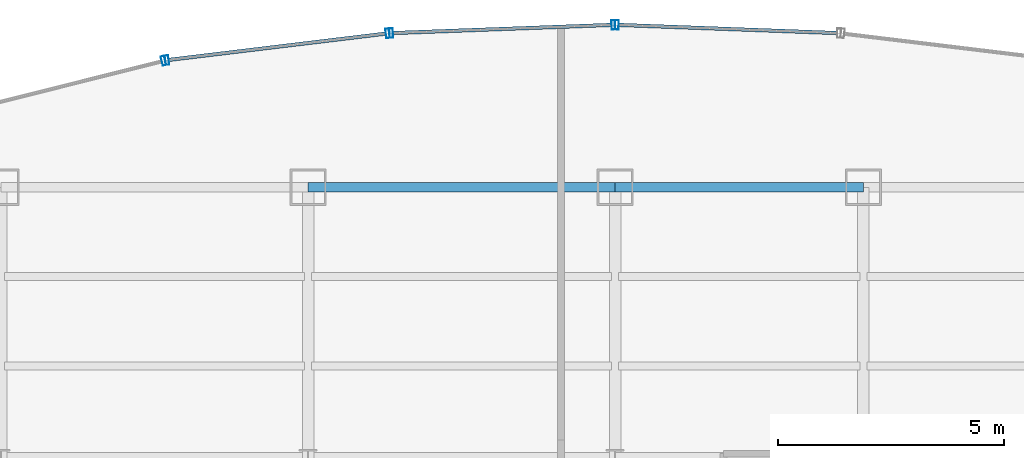
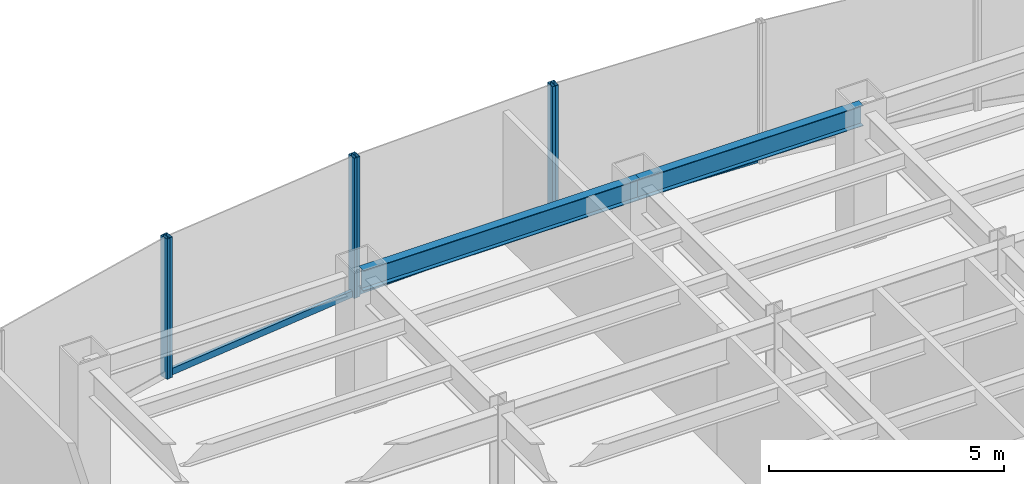
# One storey, part 16 of 26: 9 members, 2 beams, 4 elements without a shape of their own.
"""IFC4 building model written with IfcOpenShell, lengths in metres."""

from ifc_helpers import new_model, si_unit, derived_unit, direction, frame, origin, origin_2d, place, context, subcontext, project, spatial, hollow_rectangle, i_section, extrude, source, transform, mapped, material, material_profile, profile_set, type_object, element, aggregate, save


model = new_model("IFC4")

# Units and contexts
model_context = context("Model", 3, precision=1e-05, world=origin(), true_north=direction((0.0, 1.0)))
body_context = subcontext(model_context, "Body", "Model", "MODEL_VIEW")
ifc_project = project(units=[si_unit("LENGTHUNIT", "METRE"), si_unit("AREAUNIT", "SQUARE_METRE"), si_unit("VOLUMEUNIT", "CUBIC_METRE"), si_unit("PLANEANGLEUNIT", "RADIAN"), si_unit("MASSUNIT", "GRAM", prefix="KILO"), derived_unit("THERMALTRANSMITTANCEUNIT", [(si_unit("POWERUNIT", "WATT"), 1), (si_unit("LENGTHUNIT", "METRE"), -2), (si_unit("THERMODYNAMICTEMPERATUREUNIT", "KELVIN"), -1)])], contexts=[model_context])

# Site, building, storey
site_placement = place(None, origin())
site = spatial("IfcSite", under=ifc_project, at=site_placement, CompositionType="ELEMENT")
building_placement = place(site_placement, origin())
building = spatial("IfcBuilding", under=site, at=building_placement, Name="Skarnbrae Concourse Arena and Tower", CompositionType="ELEMENT")
storey_placement = place(building_placement, frame((0.0, 0.0, 99.60009765625)))
storey = spatial("IfcBuildingStorey", under=building, at=storey_placement, Name="L24", CompositionType="ELEMENT", Elevation=99.60009765625)

# Beams
ifc_material_1 = material(Name="Steel CSA G40.21 350W", Category="steel")
ifc_material_profile_1 = material_profile(ifc_material_1, i_section(OverallWidth=0.208984375, OverallDepth=0.532958984375, WebThickness=0.01025390625, FlangeThickness=0.015625, at=origin_2d()), Name="W530X92")
ifc_profile_set_1 = profile_set([ifc_material_profile_1], Name="Steel CSA G40.21 350W")
beam_type = type_object("IfcBeamType", Name="BM-SPAN-W530X92", PredefinedType="SPANDREL", material=ifc_profile_set_1)
shared_shape_1 = source(origin(), body_context, "Body", "SweptSolid", [
    extrude(i_section(OverallWidth=0.208984375, OverallDepth=0.532958984375, WebThickness=0.01025390625, FlangeThickness=0.015625, at=origin_2d()), origin(), (0.0, 0.0, 1.0), 6.800048828125),
])
beam_1_placement = place(storey_placement, frame((21.199951171875, 40.39990234375, 3.13330078125), z_axis=(1.0, 0.0, 0.0), x_axis=(0.0, 1.0, 0.0)))
element("IfcBeam", 1, at=beam_1_placement, inside=storey, type_object=beam_type, Name="L24 Perimeter spandrel Y40.4-2", PredefinedType="SPANDREL", context=body_context, shape_type="MappedRepresentation", body=[
    mapped(shared_shape_1, transform((0.0, 0.0, 0.0))),
])
shared_shape_2 = source(origin(), body_context, "Body", "SweptSolid", [
    extrude(i_section(OverallWidth=0.208984375, OverallDepth=0.532958984375, WebThickness=0.01025390625, FlangeThickness=0.015625, at=origin_2d()), origin(), (0.0, 0.0, 1.0), 5.5),
])
beam_2_placement = place(storey_placement, frame((28.0, 40.39990234375, 3.13330078125), z_axis=(1.0, 0.0, 0.0), x_axis=(0.0, 1.0, 0.0)))
element("IfcBeam", 2, at=beam_2_placement, inside=storey, type_object=beam_type, Name="L24 Perimeter spandrel Y40.4-3", PredefinedType="SPANDREL", context=body_context, shape_type="MappedRepresentation", body=[
    mapped(shared_shape_2, transform((0.0, 0.0, 0.0))),
])

# Curtain wall, member
ifc_material_2 = material(Name="Bronze anodised aluminium 6063-T6", Category="aluminium")
curtain_wall_type = type_object("IfcCurtainWallType", Name="CW-SYS-03-PORTAL", PredefinedType="USERDEFINED", material=ifc_material_2)
curtain_wall_1_placement = place(storey_placement, origin())
curtain_wall_1 = element("IfcCurtainWall", 3, at=curtain_wall_1_placement, inside=storey, type_object=curtain_wall_type, Name="L24 Unitised curtain wall CW-L24-E11", ObjectType="UNITISED CURTAIN WALL", PredefinedType="USERDEFINED")
ifc_material_profile_2 = material_profile(ifc_material_2, hollow_rectangle(XDim=0.080078125, YDim=0.2099609375, WallThickness=0.00439453125, at=origin_2d()), Name="ALU-MULL-80X210")
ifc_profile_set_2 = profile_set([ifc_material_profile_2], Name="Bronze anodised aluminium 6063-T6")
member_type_1 = type_object("IfcMemberType", Name="CWM-CW-03", PredefinedType="MULLION", material=ifc_profile_set_2)
shared_shape_3 = source(origin(), body_context, "Body", "SweptSolid", [
    extrude(hollow_rectangle(XDim=0.080078125, YDim=0.2099609375, WallThickness=0.00439453125, at=origin_2d()), origin(), (0.0, 0.0, 1.0), 3.64990234375),
])
member_1_placement = place(storey_placement, frame((28.0400390625, 43.99853515625, 0.0), z_axis=(0.0, 0.0, 1.0), x_axis=(-0.999308486252, 0.037182647889, 0.0)))
member_1 = element("IfcMember", 4, at=member_1_placement, type_object=member_type_1, Name="CW-L24-E11 Mullion 2", PredefinedType="MULLION", context=body_context, shape_type="MappedRepresentation", body=[
    mapped(shared_shape_3, transform((0.0, 0.0, 0.0))),
])

# Curtain wall, members
curtain_wall_2_placement = place(storey_placement, origin())
curtain_wall_2 = element("IfcCurtainWall", 5, at=curtain_wall_2_placement, inside=storey, type_object=curtain_wall_type, Name="L24 Unitised curtain wall CW-L24-E12", ObjectType="UNITISED CURTAIN WALL", PredefinedType="USERDEFINED")
member_2_placement = place(storey_placement, frame((27.9599609375, 43.99853515625, 0.0), z_axis=(0.0, 0.0, 1.0), x_axis=(-0.999308486252, -0.037182647889, 0.0)))
member_2 = element("IfcMember", 6, at=member_2_placement, type_object=member_type_1, Name="CW-L24-E12 Mullion 1", PredefinedType="MULLION", context=body_context, shape_type="MappedRepresentation", body=[
    mapped(shared_shape_3, transform((0.0, 0.0, 0.0))),
])
member_3_placement = place(storey_placement, frame((23.041015625, 43.8154296875, 0.0), z_axis=(0.0, 0.0, 1.0), x_axis=(-0.999308486252, -0.037182647889, 0.0)))
member_3 = element("IfcMember", 7, at=member_3_placement, type_object=member_type_1, Name="CW-L24-E12 Mullion 2", PredefinedType="MULLION", context=body_context, shape_type="MappedRepresentation", body=[
    mapped(shared_shape_3, transform((0.0, 0.0, 0.0))),
])

curtain_wall_3_placement = place(storey_placement, origin())
curtain_wall_3 = element("IfcCurtainWall", 8, at=curtain_wall_3_placement, inside=storey, type_object=curtain_wall_type, Name="L24 Unitised curtain wall CW-L24-E13", ObjectType="UNITISED CURTAIN WALL", PredefinedType="USERDEFINED")
member_4_placement = place(storey_placement, frame((22.96142578125, 43.80908203125, 0.0), z_axis=(0.0, 0.0, 1.0), x_axis=(-0.992749371969, -0.120202680731, 0.0)))
member_4 = element("IfcMember", 9, at=member_4_placement, type_object=member_type_1, Name="CW-L24-E13 Mullion 1", PredefinedType="MULLION", context=body_context, shape_type="MappedRepresentation", body=[
    mapped(shared_shape_3, transform((0.0, 0.0, 0.0))),
])
member_5_placement = place(storey_placement, frame((18.075439453125, 43.217529296875, 0.0), z_axis=(0.0, 0.0, 1.0), x_axis=(-0.992749371969, -0.120202680731, 0.0)))
member_5 = element("IfcMember", 10, at=member_5_placement, type_object=member_type_1, Name="CW-L24-E13 Mullion 2", PredefinedType="MULLION", context=body_context, shape_type="MappedRepresentation", body=[
    mapped(shared_shape_3, transform((0.0, 0.0, 0.0))),
])

# Curtain wall, member
curtain_wall_4_placement = place(storey_placement, origin())
curtain_wall_4 = element("IfcCurtainWall", 11, at=curtain_wall_4_placement, inside=storey, type_object=curtain_wall_type, Name="L24 Unitised curtain wall CW-L24-E14", ObjectType="UNITISED CURTAIN WALL", PredefinedType="USERDEFINED")
member_6_placement = place(storey_placement, frame((17.9970703125, 43.203125, 0.0), z_axis=(0.0, 0.0, 1.0), x_axis=(-0.969903046166, -0.243491439351, 0.0)))
member_6 = element("IfcMember", 12, at=member_6_placement, type_object=member_type_1, Name="CW-L24-E14 Mullion 1", PredefinedType="MULLION", context=body_context, shape_type="MappedRepresentation", body=[
    mapped(shared_shape_3, transform((0.0, 0.0, 0.0))),
])
aggregate(curtain_wall_4, [member_6])

# Member
ifc_material_profile_3 = material_profile(ifc_material_2, hollow_rectangle(XDim=0.080078125, YDim=0.169921875, WallThickness=0.00439453125, at=origin_2d()), Name="ALU-TRAN-80X170")
ifc_profile_set_3 = profile_set([ifc_material_profile_3], Name="Bronze anodised aluminium 6063-T6")
member_type_2 = type_object("IfcMemberType", Name="CWT-CW-03", PredefinedType="USERDEFINED", material=ifc_profile_set_3)
shared_shape_4 = source(origin(), body_context, "Body", "SweptSolid", [
    extrude(hollow_rectangle(XDim=0.080078125, YDim=0.169921875, WallThickness=0.00439453125, at=origin_2d()), origin(), (0.0, 0.0, 1.0), 4.841552734375),
])
member_7_placement = place(storey_placement, frame((22.921630859375, 43.804443359375, 0.0849609375), z_axis=(-0.992747648444, -0.120216914405, 0.0), x_axis=(0.120216914405, -0.992747648444, 0.0)))
member_7 = element("IfcMember", 13, at=member_7_placement, type_object=member_type_2, Name="CW-L24-E13 Transom 1", ObjectType="TRANSOM", PredefinedType="USERDEFINED", context=body_context, shape_type="MappedRepresentation", body=[
    mapped(shared_shape_4, transform((0.0, 0.0, 0.0))),
])

aggregate(curtain_wall_3, [member_4, member_5, member_7])

shared_shape_5 = source(origin(), body_context, "Body", "SweptSolid", [
    extrude(hollow_rectangle(XDim=0.080078125, YDim=0.169921875, WallThickness=0.00439453125, at=origin_2d()), origin(), (0.0, 0.0, 1.0), 4.842529296875),
])
member_8_placement = place(storey_placement, frame((32.9189453125, 43.81689453125, 0.0849609375), z_axis=(-0.999307562882, 0.0372074558, 0.0), x_axis=(-0.0372074558, -0.999307562882, 0.0)))
member_8 = element("IfcMember", 14, at=member_8_placement, type_object=member_type_2, Name="CW-L24-E11 Transom 1", ObjectType="TRANSOM", PredefinedType="USERDEFINED", context=body_context, shape_type="MappedRepresentation", body=[
    mapped(shared_shape_5, transform((0.0, 0.0, 0.0))),
])

aggregate(curtain_wall_1, [member_1, member_8])

member_9_placement = place(storey_placement, frame((27.920166015625, 43.9970703125, 0.0849609375), z_axis=(-0.999307562882, -0.0372074558, 0.0), x_axis=(0.0372074558, -0.999307562882, 0.0)))
member_9 = element("IfcMember", 15, at=member_9_placement, type_object=member_type_2, Name="CW-L24-E12 Transom 1", ObjectType="TRANSOM", PredefinedType="USERDEFINED", context=body_context, shape_type="MappedRepresentation", body=[
    mapped(shared_shape_5, transform((0.0, 0.0, 0.0))),
])

aggregate(curtain_wall_2, [member_2, member_3, member_9])

save(model, "model.ifc")
